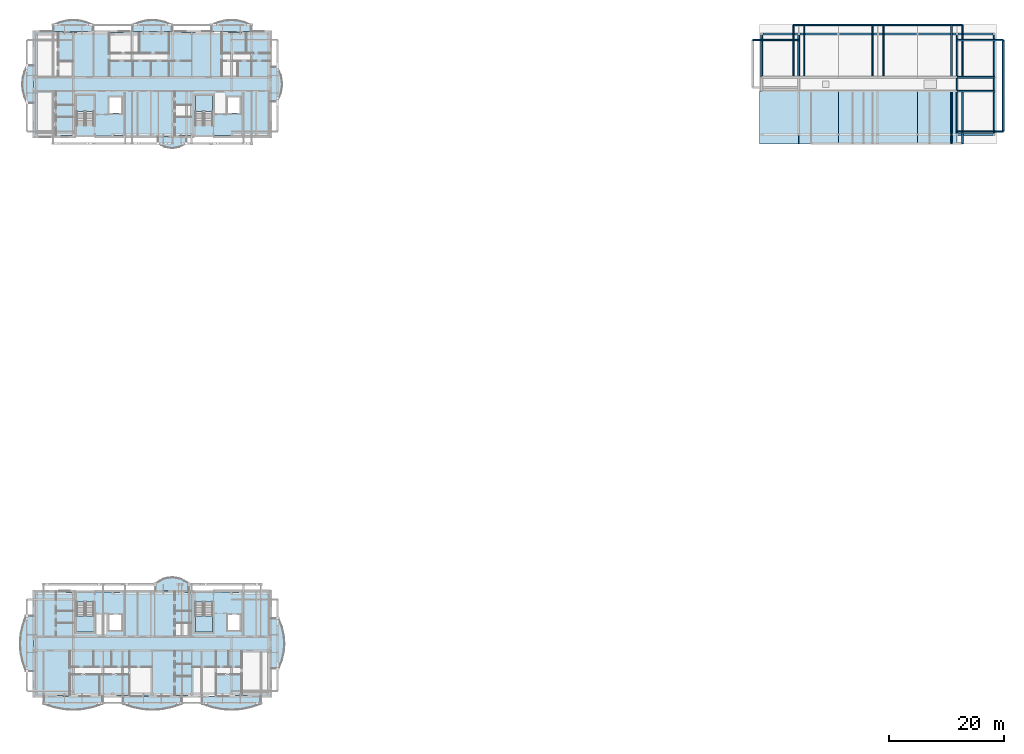
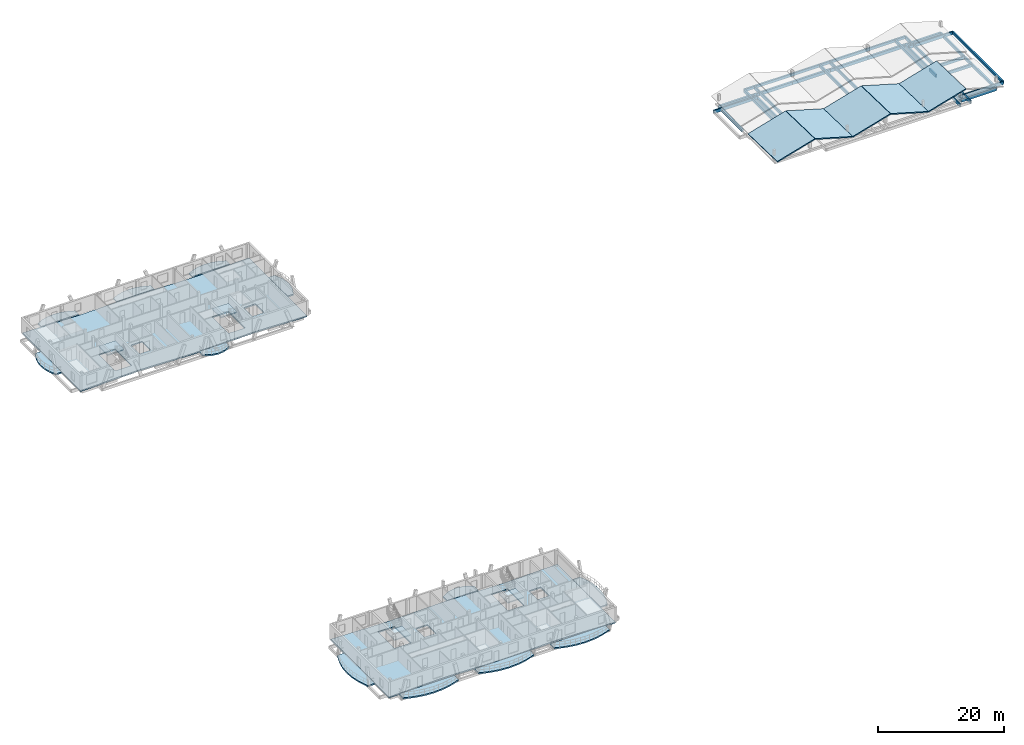
# One storey, part 5 of 21: 30 beams, 23 slabs, 4 elements without a shape of their own.
"""IFC4 building model written with IfcOpenShell, lengths in metres."""

import ifcopenshell
import ifcopenshell.guid

model = None  # the IFC model being written
_history = None  # IfcOwnerHistory: only IFC2X3 demands one
_inside = {}  # id of a spatial element -> (the spatial element, [elements in it])
_under = {}  # id of a project, library or spatial element -> (it, [spatial elements below it])
_declared = {}  # id of a project -> (the project, [libraries it declares])
_typed = {}  # id of a type object -> (the type object, [elements of that type])
_made_of = {}  # id of a material, layer set ... -> (it, [elements and type objects made of it])


def new_model(schema):
    """Start an empty IFC model of exactly this schema.

    Asked for "IFC4X3", IfcOpenShell would pick the latest addendum, in which some entities
    have other attributes; the version numbers below select the first issue.
    IFC2X3 requires an IfcOwnerHistory on every rooted entity: one is made here for all.
    """
    global model, _history
    if schema == "IFC4X3":
        model = ifcopenshell.file(schema_version=(4, 3, 0, 0))
    else:
        model = ifcopenshell.file(schema=schema)
    _inside.clear()
    _under.clear()
    _declared.clear()
    _typed.clear()
    _made_of.clear()
    _history = None
    if model.schema == "IFC2X3":
        org = make("IfcOrganization", Name="unknown")
        user = make(
            "IfcPersonAndOrganization",
            ThePerson=make("IfcPerson", FamilyName="unknown"),
            TheOrganization=org,
        )
        app = make(
            "IfcApplication",
            ApplicationDeveloper=org,
            Version="unknown",
            ApplicationFullName="unknown",
            ApplicationIdentifier="unknown",
        )
        _history = make(
            "IfcOwnerHistory",
            OwningUser=user,
            OwningApplication=app,
            ChangeAction="ADDED",
            CreationDate=0,
        )
    return model


def make(cls, **values):
    """One entity of the class cls with the attributes given. An attribute that is None is left unset."""
    return model.create_entity(
        cls, **{name: value for name, value in values.items() if value is not None}
    )


def rooted(cls, **values):
    """An entity with a GlobalId (a new one), such as an element, a storey or a relation."""
    return make(cls, GlobalId=ifcopenshell.guid.new(), OwnerHistory=_history, **values)


def si_unit(unit_type, name, prefix=None):
    """IfcSIUnit, for example si_unit("LENGTHUNIT", "METRE", prefix="MILLI")."""
    return make("IfcSIUnit", UnitType=unit_type, Prefix=prefix, Name=name)


def assignment(units):
    """IfcUnitAssignment: the units of a project."""
    return None if units is None else make("IfcUnitAssignment", Units=units)


def point(xyz):
    """IfcCartesianPoint."""
    return None if xyz is None else make("IfcCartesianPoint", Coordinates=xyz)


def direction(xyz):
    """IfcDirection."""
    return None if xyz is None else make("IfcDirection", DirectionRatios=xyz)


def frame(location, z_axis=None, x_axis=None):
    """IfcAxis2Placement3D, a coordinate frame: its origin and axes. An axis left out is left unset."""
    return make(
        "IfcAxis2Placement3D",
        Location=point(location),
        Axis=direction(z_axis),
        RefDirection=direction(x_axis),
    )


def frame_2d(location, x_axis=None):
    """IfcAxis2Placement2D, a coordinate frame in the plane: its origin and x axis."""
    return make(
        "IfcAxis2Placement2D", Location=point(location), RefDirection=direction(x_axis)
    )


def origin():
    """The frame at (0, 0, 0) with its axes left unset."""
    return frame((0.0, 0.0, 0.0))


def origin_2d():
    """The frame at (0, 0) in the plane with its x axis left unset."""
    return frame_2d((0.0, 0.0))


def place(relative_to, where):
    """IfcLocalPlacement: puts the frame where relative to a parent placement (None: the world)."""
    return make(
        "IfcLocalPlacement", PlacementRelTo=relative_to, RelativePlacement=where
    )


def context(
    kind, dimensions, precision=None, world=None, true_north=None, identifier=None
):
    """IfcGeometricRepresentationContext, for example the 3D "Model" context."""
    return make(
        "IfcGeometricRepresentationContext",
        ContextIdentifier=identifier,
        ContextType=kind,
        CoordinateSpaceDimension=dimensions,
        Precision=precision,
        WorldCoordinateSystem=world,
        TrueNorth=true_north,
    )


def subcontext(parent, identifier, kind, view, scale=None):
    """IfcGeometricRepresentationSubContext, for example "Body" below "Model"."""
    return make(
        "IfcGeometricRepresentationSubContext",
        ContextIdentifier=identifier,
        ContextType=kind,
        ParentContext=parent,
        TargetScale=scale,
        TargetView=view,
    )


def project(units=None, contexts=None):
    """IfcProject with its units and contexts."""
    return rooted(
        "IfcProject",
        Name="project",
        RepresentationContexts=contexts,
        UnitsInContext=assignment(units),
    )


def spatial(cls, under=None, at=None, **own):
    """A site, building, storey or space (cls), placed at a placement, below another one or the project."""
    s = rooted(cls, ObjectPlacement=at, **own)
    if under is not None:
        _under.setdefault(under.id(), (under, []))[1].append(s)
    return s


def polyline(points):
    """IfcPolyline through the points."""
    return make("IfcPolyline", Points=[point(p) for p in points])


def profile(cls, at=None, kind="AREA", **sizes):
    """A parametric profile (cls). Its sizes go by their IFC names, for example OverallWidth=200.0."""
    return make(cls, ProfileType=kind, Position=at, **sizes)


def rectangle(**sizes):
    """IfcRectangleProfileDef."""
    return profile("IfcRectangleProfileDef", **sizes)


def outline(outer, holes=None, kind="AREA"):
    """IfcArbitraryClosedProfileDef: a profile drawn as a closed curve; with holes, ...WithVoids."""
    if holes is None:
        return make("IfcArbitraryClosedProfileDef", ProfileType=kind, OuterCurve=outer)
    return make(
        "IfcArbitraryProfileDefWithVoids",
        ProfileType=kind,
        OuterCurve=outer,
        InnerCurves=holes,
    )


def extrude(swept, where, along, depth):
    """IfcExtrudedAreaSolid: the profile swept, set in the frame where, extruded along a direction by depth."""
    return make(
        "IfcExtrudedAreaSolid",
        SweptArea=swept,
        Position=where,
        ExtrudedDirection=direction(along),
        Depth=depth,
    )


def shape(context_of_items, identifier, shape_type, items):
    """IfcShapeRepresentation: the items that make up one representation, for example the "Body"."""
    return make(
        "IfcShapeRepresentation",
        ContextOfItems=context_of_items,
        RepresentationIdentifier=identifier,
        RepresentationType=shape_type,
        Items=items,
    )


def material(Name=None, Category=None):
    """IfcMaterial."""
    return make("IfcMaterial", Name=Name, Category=Category)


def layer(
    of_material, thickness, ventilated=None, Name=None, Category=None, Priority=None
):
    """IfcMaterialLayer: one layer of a wall or slab, of a material (None: an air gap)."""
    return make(
        "IfcMaterialLayer",
        Material=of_material,
        LayerThickness=thickness,
        IsVentilated=ventilated,
        Name=Name,
        Category=Category,
        Priority=Priority,
    )


def layer_set(layers, Name=None):
    """IfcMaterialLayerSet."""
    return make("IfcMaterialLayerSet", MaterialLayers=layers, LayerSetName=Name)


def material_profile(
    of_material, cross_section, Name=None, Category=None, Priority=None
):
    """IfcMaterialProfile: a cross section and its material."""
    return make(
        "IfcMaterialProfile",
        Name=Name,
        Material=of_material,
        Profile=cross_section,
        Priority=Priority,
        Category=Category,
    )


def profile_set(profiles, Name=None, composite=None):
    """IfcMaterialProfileSet."""
    return make(
        "IfcMaterialProfileSet",
        Name=Name,
        MaterialProfiles=profiles,
        CompositeProfile=composite,
    )


def made_of(thing, what):
    """Note that an element or type object is made of a material, layer set ...; save() writes the relation."""
    if what is not None:
        _made_of.setdefault(what.id(), (what, []))[1].append(thing)
    return thing


def type_object(cls, material=None, **own):
    """A type object (cls), such as IfcWallType, which elements share."""
    return made_of(rooted(cls, **own), material)


def element(
    cls,
    number,
    at=None,
    inside=None,
    cuts=None,
    type_object=None,
    material=None,
    context=None,
    identifier="Body",
    shape_type=None,
    held_by="IfcProductDefinitionShape",
    body=None,
    shapes=None,
    **own,
):
    """One element of the class cls, such as IfcWall. Its Tag is "e" and its number.

    at: its placement. inside: the storey or other place that contains it. cuts: it is an
    opening in that element (IfcRelVoidsElement). A single representation is given by context,
    identifier, shape_type and body (its items); several are given by shapes. held_by: the class
    of the entity that holds the representations. save() writes the other relations.
    """
    e = rooted(cls, Tag="e%d" % number, ObjectPlacement=at, **own)
    if body is not None:
        shapes = [shape(context, identifier, shape_type, body)]
    if shapes is not None:
        e.Representation = make(held_by, Representations=shapes)
    if inside is not None:
        _inside.setdefault(inside.id(), (inside, []))[1].append(e)
    if cuts is not None:
        rooted(
            "IfcRelVoidsElement", RelatingBuildingElement=cuts, RelatedOpeningElement=e
        )
    if type_object is not None:
        _typed.setdefault(type_object.id(), (type_object, []))[1].append(e)
    return made_of(e, material)


def aggregate(whole, parts):
    """IfcRelAggregates: a whole, such as a stair, and the parts it consists of."""
    return rooted("IfcRelAggregates", RelatingObject=whole, RelatedObjects=parts)


def save(model, path):
    """Write the relations noted so far, then the file.

    IfcRelAggregates (storeys below a building ...), IfcRelContainedInSpatialStructure (elements
    in a storey), IfcRelDefinesByType, IfcRelAssociatesMaterial and IfcRelDeclares: one each for
    every whole, place, type object, material and project.
    """
    for whole, parts in _under.values():
        aggregate(whole, parts)
    for where, things in _inside.values():
        rooted(
            "IfcRelContainedInSpatialStructure",
            RelatedElements=things,
            RelatingStructure=where,
        )
    for kind, things in _typed.values():
        rooted("IfcRelDefinesByType", RelatedObjects=things, RelatingType=kind)
    for what, things in _made_of.values():
        rooted("IfcRelAssociatesMaterial", RelatedObjects=things, RelatingMaterial=what)
    for by, libraries in _declared.values():
        rooted("IfcRelDeclares", RelatingContext=by, RelatedDefinitions=libraries)
    model.write(path)


model = new_model("IFC4")

# Units and contexts
model_context = context("Model", 3, precision=1e-05, world=origin(), true_north=direction((0.0, 1.0)))
body_context = subcontext(model_context, "Body", "Model", "MODEL_VIEW")
ifc_project = project(units=[si_unit("LENGTHUNIT", "METRE"), si_unit("AREAUNIT", "SQUARE_METRE"), si_unit("VOLUMEUNIT", "CUBIC_METRE"), si_unit("PLANEANGLEUNIT", "RADIAN"), si_unit("MASSUNIT", "GRAM", prefix="KILO")], contexts=[model_context])

# Site, building, storey
site_placement = place(None, origin())
site = spatial("IfcSite", under=ifc_project, at=site_placement, CompositionType="ELEMENT")
building_placement = place(site_placement, origin())
building = spatial("IfcBuilding", under=site, at=building_placement, Name="Zavelmont Quarter", CompositionType="ELEMENT")
storey_placement = place(building_placement, frame((0.0, 0.0, 36.800048828125)))
storey = spatial("IfcBuildingStorey", under=building, at=storey_placement, Name="L11", CompositionType="ELEMENT", Elevation=36.800048828125)

# Beams
ifc_material_1 = material(Name="Concrete C35/45", Category="concrete")
ifc_material_profile_1 = material_profile(ifc_material_1, rectangle(XDim=0.35009765625, YDim=0.60009765625, at=origin_2d()), Name="RC350X600")
ifc_profile_set_1 = profile_set([ifc_material_profile_1], Name="Concrete C35/45")
beam_type_1 = type_object("IfcBeamType", Name="BM01", PredefinedType="SPANDREL", material=ifc_profile_set_1)
for number, where, z_axis, x_axis, name in (
    (1, (161.10009765625, 98.0400390625, -0.590087890625), (1.0, 0.0, 0.0), (0.0, 1.0, 0.0), "L11 beam BM01 24/P to 25/P"),
    (2, (127.0400390625, 115.56005859375, -0.590087890625), (1.0, 0.0, 0.0), (0.0, 1.0, 0.0), "L11 beam BM01 19/S to 20/S"),
):
    element("IfcBeam", number, at=place(storey_placement, frame(where, z_axis=z_axis, x_axis=x_axis)), inside=storey, type_object=beam_type_1, Name=name, PredefinedType="SPANDREL", context=body_context, shape_type="SweptSolid", body=[
        extrude(rectangle(XDim=0.35009765625, YDim=0.60009765625, at=origin_2d()), origin(), (0.0, 0.0, 1.0), 6.4599609375),
    ])
beam_1_placement = place(storey_placement, frame((133.5, 115.56005859375, -0.590087890625), z_axis=(1.0, 0.0, 0.0), x_axis=(0.0, 1.0, 0.0)))
element("IfcBeam", 3, at=beam_1_placement, inside=storey, type_object=beam_type_1, Name="L11 beam BM01 20/S to 21/S", PredefinedType="SPANDREL", context=body_context, shape_type="SweptSolid", body=[
    extrude(rectangle(XDim=0.35009765625, YDim=0.60009765625, at=origin_2d()), origin(), (0.0, 0.0, 1.0), 6.89990234375),
])
beam_2_placement = place(storey_placement, frame((140.39990234375, 115.56005859375, -0.590087890625), z_axis=(1.0, 0.0, 0.0), x_axis=(0.0, 1.0, 0.0)))
element("IfcBeam", 4, at=beam_2_placement, inside=storey, type_object=beam_type_1, Name="L11 beam BM01 21/S to 22/S", PredefinedType="SPANDREL", context=body_context, shape_type="SweptSolid", body=[
    extrude(rectangle(XDim=0.35009765625, YDim=0.60009765625, at=origin_2d()), origin(), (0.0, 0.0, 1.0), 6.900146484375),
])
beam_3_placement = place(storey_placement, frame((147.300048828125, 115.56005859375, -0.590087890625), z_axis=(1.0, 0.0, 0.0), x_axis=(0.0, 1.0, 0.0)))
element("IfcBeam", 5, at=beam_3_placement, inside=storey, type_object=beam_type_1, Name="L11 beam BM01 22/S to 23/S", PredefinedType="SPANDREL", context=body_context, shape_type="SweptSolid", body=[
    extrude(rectangle(XDim=0.35009765625, YDim=0.60009765625, at=origin_2d()), origin(), (0.0, 0.0, 1.0), 6.89990234375),
])
beam_4_placement = place(storey_placement, frame((154.199951171875, 115.56005859375, -0.590087890625), z_axis=(1.0, 0.0, 0.0), x_axis=(0.0, 1.0, 0.0)))
element("IfcBeam", 6, at=beam_4_placement, inside=storey, type_object=beam_type_1, Name="L11 beam BM01 23/S to 24/S", PredefinedType="SPANDREL", context=body_context, shape_type="SweptSolid", body=[
    extrude(rectangle(XDim=0.35009765625, YDim=0.60009765625, at=origin_2d()), origin(), (0.0, 0.0, 1.0), 6.900146484375),
])
beam_5_placement = place(storey_placement, frame((161.10009765625, 115.56005859375, -0.590087890625), z_axis=(1.0, 0.0, 0.0), x_axis=(0.0, 1.0, 0.0)))
element("IfcBeam", 7, at=beam_5_placement, inside=storey, type_object=beam_type_1, Name="L11 beam BM01 24/S to 25/S", PredefinedType="SPANDREL", context=body_context, shape_type="SweptSolid", body=[
    extrude(rectangle(XDim=0.35009765625, YDim=0.60009765625, at=origin_2d()), origin(), (0.0, 0.0, 1.0), 6.4599609375),
])
ifc_material_profile_2 = material_profile(ifc_material_1, rectangle(XDim=0.300048828125, YDim=0.550048828125, at=origin_2d()), Name="RC300X550")
ifc_profile_set_2 = profile_set([ifc_material_profile_2], Name="Concrete C35/45")
beam_type_2 = type_object("IfcBeamType", Name="BM02", PredefinedType="SPANDREL", material=ifc_profile_set_2)
for number, where, z_axis, x_axis, name in (
    (8, (161.10009765625, 105.60009765625, -0.56494140625), (1.0, 0.0, 0.0), (0.0, 1.0, 0.0), "L11 beam BM02 24/Q to 25/Q"),
    (9, (161.10009765625, 108.0, -0.56494140625), (1.0, 0.0, 0.0), (0.0, 1.0, 0.0), "L11 beam BM02 24/R to 25/R"),
):
    element("IfcBeam", number, at=place(storey_placement, frame(where, z_axis=z_axis, x_axis=x_axis)), inside=storey, type_object=beam_type_2, Name=name, PredefinedType="SPANDREL", context=body_context, shape_type="SweptSolid", body=[
        extrude(rectangle(XDim=0.300048828125, YDim=0.550048828125, at=origin_2d()), origin(), (0.0, 0.0, 1.0), 6.4599609375),
    ])
for number, where, z_axis, x_axis, name in (
    (10, (127.0400390625, 108.139892578125, -0.56494140625), (0.0, 1.0, 0.0), (-1.0, 0.0, 0.0), "L11 beam BM02 19/R to 19/S"),
    (11, (133.5, 108.139892578125, -0.56494140625), (0.0, 1.0, 0.0), (-1.0, 0.0, 0.0), "L11 beam BM02 20/R to 20/S"),
):
    element("IfcBeam", number, at=place(storey_placement, frame(where, z_axis=z_axis, x_axis=x_axis)), inside=storey, type_object=beam_type_2, Name=name, PredefinedType="SPANDREL", context=body_context, shape_type="SweptSolid", body=[
        extrude(rectangle(XDim=0.300048828125, YDim=0.550048828125, at=origin_2d()), origin(), (0.0, 0.0, 1.0), 7.420166015625),
    ])
beam_6_placement = place(storey_placement, frame((161.10009765625, 98.0400390625, -0.56494140625), z_axis=(0.0, 1.0, 0.0), x_axis=(-1.0, 0.0, 0.0)))
element("IfcBeam", 12, at=beam_6_placement, inside=storey, type_object=beam_type_2, Name="L11 beam BM02 24/P to 24/Q", PredefinedType="SPANDREL", context=body_context, shape_type="SweptSolid", body=[
    extrude(rectangle(XDim=0.300048828125, YDim=0.550048828125, at=origin_2d()), origin(), (0.0, 0.0, 1.0), 7.419921875),
])
beam_7_placement = place(storey_placement, frame((161.10009765625, 105.739990234375, -0.56494140625), z_axis=(0.0, 1.0, 0.0), x_axis=(-1.0, 0.0, 0.0)))
element("IfcBeam", 13, at=beam_7_placement, inside=storey, type_object=beam_type_2, Name="L11 beam BM02 24/Q to 24/R", PredefinedType="SPANDREL", context=body_context, shape_type="SweptSolid", body=[
    extrude(rectangle(XDim=0.300048828125, YDim=0.550048828125, at=origin_2d()), origin(), (0.0, 0.0, 1.0), 2.1201171875),
])
beam_8_placement = place(storey_placement, frame((161.10009765625, 108.139892578125, -0.56494140625), z_axis=(0.0, 1.0, 0.0), x_axis=(-1.0, 0.0, 0.0)))
element("IfcBeam", 14, at=beam_8_placement, inside=storey, type_object=beam_type_2, Name="L11 beam BM02 24/R to 24/S", PredefinedType="SPANDREL", context=body_context, shape_type="SweptSolid", body=[
    extrude(rectangle(XDim=0.300048828125, YDim=0.550048828125, at=origin_2d()), origin(), (0.0, 0.0, 1.0), 7.420166015625),
])
beam_9_placement = place(storey_placement, frame((167.56005859375, 98.0400390625, -0.56494140625), z_axis=(0.0, 1.0, 0.0), x_axis=(-1.0, 0.0, 0.0)))
element("IfcBeam", 15, at=beam_9_placement, inside=storey, type_object=beam_type_2, Name="L11 beam BM02 25/P to 25/Q", PredefinedType="SPANDREL", context=body_context, shape_type="SweptSolid", body=[
    extrude(rectangle(XDim=0.300048828125, YDim=0.550048828125, at=origin_2d()), origin(), (0.0, 0.0, 1.0), 7.419921875),
])
beam_10_placement = place(storey_placement, frame((167.56005859375, 105.739990234375, -0.56494140625), z_axis=(0.0, 1.0, 0.0), x_axis=(-1.0, 0.0, 0.0)))
element("IfcBeam", 16, at=beam_10_placement, inside=storey, type_object=beam_type_2, Name="L11 beam BM02 25/Q to 25/R", PredefinedType="SPANDREL", context=body_context, shape_type="SweptSolid", body=[
    extrude(rectangle(XDim=0.300048828125, YDim=0.550048828125, at=origin_2d()), origin(), (0.0, 0.0, 1.0), 2.1201171875),
])
beam_11_placement = place(storey_placement, frame((167.56005859375, 108.139892578125, -0.56494140625), z_axis=(0.0, 1.0, 0.0), x_axis=(-1.0, 0.0, 0.0)))
element("IfcBeam", 17, at=beam_11_placement, inside=storey, type_object=beam_type_2, Name="L11 beam BM02 25/R to 25/S", PredefinedType="SPANDREL", context=body_context, shape_type="SweptSolid", body=[
    extrude(rectangle(XDim=0.300048828125, YDim=0.550048828125, at=origin_2d()), origin(), (0.0, 0.0, 1.0), 7.420166015625),
])
ifc_material_profile_3 = material_profile(ifc_material_1, rectangle(XDim=0.300048828125, YDim=0.5, at=origin_2d()), Name="RC300X500")
ifc_profile_set_3 = profile_set([ifc_material_profile_3], Name="Concrete C35/45")
beam_type_3 = type_object("IfcBeamType", Name="BM03", PredefinedType="BEAM", material=ifc_profile_set_3)
beam_12_placement = place(storey_placement, frame((132.550048828125, 117.14990234375, -0.25), z_axis=(1.0, 0.0, 0.0), x_axis=(0.0, 1.0, 0.0)))
element("IfcBeam", 18, at=beam_12_placement, inside=storey, type_object=beam_type_3, Name="L11 beam BM03 20/S to 24/S", PredefinedType="BEAM", context=body_context, shape_type="SweptSolid", body=[
    extrude(rectangle(XDim=0.300048828125, YDim=0.5, at=origin_2d()), origin(), (0.0, 0.0, 1.0), 29.5),
])
beam_13_placement = place(storey_placement, frame((169.14990234375, 98.550048828125, -0.25), z_axis=(0.0, 1.0, 0.0), x_axis=(-1.0, 0.0, 0.0)))
element("IfcBeam", 19, at=beam_13_placement, inside=storey, type_object=beam_type_3, Name="L11 beam BM03 25/P to 25/S", PredefinedType="BEAM", context=body_context, shape_type="SweptSolid", body=[
    extrude(rectangle(XDim=0.300048828125, YDim=0.5, at=origin_2d()), origin(), (0.0, 0.0, 1.0), 15.949951171875),
])
ifc_material_2 = material(Name="Concrete C40/50", Category="concrete")
ifc_material_profile_4 = material_profile(ifc_material_2, rectangle(XDim=0.25, YDim=0.60009765625, at=origin_2d()), Name="RC250X600")
ifc_profile_set_4 = profile_set([ifc_material_profile_4], Name="Concrete C40/50")
beam_type_4 = type_object("IfcBeamType", Name="BM18", PredefinedType="BEAM", material=ifc_profile_set_4)
for number, where, z_axis, x_axis, name in (
    (20, (132.550048828125, 108.0, -0.300048828125), (0.0, 1.0, 0.0), (-1.0, 0.0, 0.0), "L11 beam BM18 20/R to 20/S"),
    (21, (134.449951171875, 108.0, -0.300048828125), (0.0, 1.0, 0.0), (-1.0, 0.0, 0.0), "L11 beam BM18 20/R to 20/S"),
    (22, (146.35009765625, 108.0, -0.300048828125), (0.0, 1.0, 0.0), (-1.0, 0.0, 0.0), "L11 beam BM18 22/R to 22/S"),
    (23, (148.25, 108.0, -0.300048828125), (0.0, 1.0, 0.0), (-1.0, 0.0, 0.0), "L11 beam BM18 22/R to 22/S"),
    (24, (160.14990234375, 108.0, -0.300048828125), (0.0, 1.0, 0.0), (-1.0, 0.0, 0.0), "L11 beam BM18 24/R to 24/S"),
    (25, (162.050048828125, 108.0, -0.300048828125), (0.0, 1.0, 0.0), (-1.0, 0.0, 0.0), "L11 beam BM18 24/R to 24/S"),
):
    element("IfcBeam", number, at=place(storey_placement, frame(where, z_axis=z_axis, x_axis=x_axis)), inside=storey, type_object=beam_type_4, Name=name, PredefinedType="BEAM", context=body_context, shape_type="SweptSolid", body=[
        extrude(rectangle(XDim=0.25, YDim=0.60009765625, at=origin_2d()), origin(), (0.0, 0.0, 1.0), 9.14990234375),
    ])
for number, where, z_axis, x_axis, name in (
    (26, (160.14990234375, 105.60009765625, -0.300048828125), (0.0, -1.0, 0.0), (1.0, 0.0, 0.0), "L11 beam BM18 24/Q to 24/P"),
    (27, (162.050048828125, 105.60009765625, -0.300048828125), (0.0, -1.0, 0.0), (1.0, 0.0, 0.0), "L11 beam BM18 24/Q to 24/P"),
):
    element("IfcBeam", number, at=place(storey_placement, frame(where, z_axis=z_axis, x_axis=x_axis)), inside=storey, type_object=beam_type_4, Name=name, PredefinedType="BEAM", context=body_context, shape_type="SweptSolid", body=[
        extrude(rectangle(XDim=0.25, YDim=0.60009765625, at=origin_2d()), origin(), (0.0, 0.0, 1.0), 9.150146484375),
    ])
for number, where, z_axis, x_axis, name in (
    (28, (161.10009765625, 98.550048828125, -0.300048828125), (1.0, 0.0, 0.0), (0.0, 1.0, 0.0), "L11 beam BM18 24/P to 25/P"),
    (29, (161.10009765625, 114.5, -0.300048828125), (1.0, 0.0, 0.0), (0.0, 1.0, 0.0), "L11 beam BM18 24/S to 25/S"),
):
    element("IfcBeam", number, at=place(storey_placement, frame(where, z_axis=z_axis, x_axis=x_axis)), inside=storey, type_object=beam_type_4, Name=name, PredefinedType="BEAM", context=body_context, shape_type="SweptSolid", body=[
        extrude(rectangle(XDim=0.25, YDim=0.60009765625, at=origin_2d()), origin(), (0.0, 0.0, 1.0), 8.0498046875),
    ])
beam_14_placement = place(storey_placement, frame((133.5, 114.5, -0.300048828125), z_axis=(-1.0, 0.0, 0.0), x_axis=(0.0, -1.0, 0.0)))
element("IfcBeam", 30, at=beam_14_placement, inside=storey, type_object=beam_type_4, Name="L11 beam BM18 20/S to 19/S", PredefinedType="BEAM", context=body_context, shape_type="SweptSolid", body=[
    extrude(rectangle(XDim=0.25, YDim=0.60009765625, at=origin_2d()), origin(), (0.0, 0.0, 1.0), 8.050048828125),
])

# Slabs
ifc_material_3 = material(Name="White architectural precast concrete C40/50", Category="concrete")
ifc_layer_1 = layer(ifc_material_3, 0.199951171875)
ifc_layer_set_1 = layer_set([ifc_layer_1], Name="White architectural precast concrete C40/50")
slab_type_1 = type_object("IfcSlabType", Name="CRCS1", PredefinedType="ROOF", material=ifc_layer_set_1)
slab_1_placement = place(storey_placement, frame((126.60009765625, 96.35009765625, 0.699951171875), z_axis=(-0.278264021149, 0.02588048519, 0.960155890999), x_axis=(0.960477608597, 0.0, 0.278357258542)))
element("IfcSlab", 31, at=slab_1_placement, inside=storey, type_object=slab_type_1, Name="Block C pleated crown roof CRCS1", PredefinedType="ROOF", context=body_context, shape_type="SweptSolid", body=[
    extrude(outline(polyline([(0.0, 0.0), (7.1525592948565135, 6.938893903907228e-18), (7.0829699802210255, 9.278010067540764), (-0.06958931463548745, 9.278010067540764), (0.0, 0.0)])), origin(), (0.0, 0.0, -1.0), 0.199951171875),
])
ifc_layer_2 = layer(ifc_material_3, 0.199951171875)
ifc_layer_set_2 = layer_set([ifc_layer_2], Name="White architectural precast concrete C40/50")
slab_type_2 = type_object("IfcSlabType", Name="CRCS2", PredefinedType="ROOF", material=ifc_layer_set_2)
slab_2_placement = place(storey_placement, frame((133.530029296875, 96.35009765625, 2.69091796875), z_axis=(0.278264021149, 0.02588048519, 0.960155890999), x_axis=(0.960477608597, 0.0, -0.278357258542)))
element("IfcSlab", 32, at=slab_2_placement, inside=storey, type_object=slab_type_2, Name="Block C pleated crown roof CRCS2", PredefinedType="ROOF", context=body_context, shape_type="SweptSolid", body=[
    extrude(outline(polyline([(0.0, 0.0), (7.1525592948565135, -6.938893903907228e-18), (7.222148609492001, 9.278010067540764), (0.06958931463548745, 9.278010067540764), (0.0, 0.0)])), origin(), (0.0, 0.0, -1.0), 0.199951171875),
])
ifc_layer_3 = layer(ifc_material_3, 0.199951171875)
ifc_layer_set_3 = layer_set([ifc_layer_3], Name="White architectural precast concrete C40/50")
slab_type_3 = type_object("IfcSlabType", Name="CRCS3", PredefinedType="ROOF", material=ifc_layer_set_3)
slab_3_placement = place(storey_placement, frame((140.39990234375, 96.35009765625, 0.699951171875), z_axis=(-0.278254898233, 0.025880556403, 0.960158532957), x_axis=(0.960480253212, 0.0, 0.278348133082)))
element("IfcSlab", 33, at=slab_3_placement, inside=storey, type_object=slab_type_3, Name="Block C pleated crown roof CRCS3", PredefinedType="ROOF", context=body_context, shape_type="SweptSolid", body=[
    extrude(outline(polyline([(0.0, 0.0), (7.1527937867830085, -6.938893903907228e-18), (7.083206753512389, 9.278010084651765), (-0.06958703327061955, 9.278010084651765), (0.0, 0.0)])), origin(), (0.0, 0.0, -1.0), 0.199951171875),
])
ifc_layer_4 = layer(ifc_material_3, 0.199951171875)
ifc_layer_set_4 = layer_set([ifc_layer_4], Name="White architectural precast concrete C40/50")
slab_type_4 = type_object("IfcSlabType", Name="CRCS4", PredefinedType="ROOF", material=ifc_layer_set_4)
slab_4_placement = place(storey_placement, frame((147.330078125, 96.35009765625, 2.69091796875), z_axis=(0.278264021149, 0.02588048519, 0.960155890999), x_axis=(0.960477608597, 0.0, -0.278357258542)))
element("IfcSlab", 34, at=slab_4_placement, inside=storey, type_object=slab_type_4, Name="Block C pleated crown roof CRCS4", PredefinedType="ROOF", context=body_context, shape_type="SweptSolid", body=[
    extrude(outline(polyline([(0.0, 0.0), (7.1525592948565135, -6.938893903907228e-18), (7.222148609492001, 9.278010067540764), (0.06958931463548745, 9.278010067540764), (0.0, 0.0)])), origin(), (0.0, 0.0, -1.0), 0.199951171875),
])
ifc_layer_5 = layer(ifc_material_3, 0.199951171875)
ifc_layer_set_5 = layer_set([ifc_layer_5], Name="White architectural precast concrete C40/50")
slab_type_5 = type_object("IfcSlabType", Name="CRCS5", PredefinedType="ROOF", material=ifc_layer_set_5)
slab_5_placement = place(storey_placement, frame((154.199951171875, 96.35009765625, 0.699951171875), z_axis=(-0.278254898233, 0.025880556403, 0.960158532957), x_axis=(0.960480253212, 0.0, 0.278348133082)))
element("IfcSlab", 35, at=slab_5_placement, inside=storey, type_object=slab_type_5, Name="Block C pleated crown roof CRCS5", PredefinedType="ROOF", context=body_context, shape_type="SweptSolid", body=[
    extrude(outline(polyline([(0.0, 0.0), (7.1527937867830085, -6.938893903907228e-18), (7.083206753512389, 9.278010084651765), (-0.06958703327061955, 9.278010084651765), (0.0, 0.0)])), origin(), (0.0, 0.0, -1.0), 0.199951171875),
])
ifc_layer_6 = layer(ifc_material_3, 0.235107421875)
ifc_layer_set_6 = layer_set([ifc_layer_6], Name="White architectural precast concrete C40/50")
slab_type_6 = type_object("IfcSlabType", Name="SL-BL180", PredefinedType="FLOOR", material=ifc_layer_set_6)
slab_6_placement = place(storey_placement, frame((0.0, 0.0, -0.235107421875)))
element("IfcSlab", 36, at=slab_6_placement, inside=storey, type_object=slab_type_6, Name="L11 Block A street vase 3 balcony SL-BL180", PredefinedType="FLOOR", context=body_context, shape_type="SweptSolid", body=[
    extrude(outline(polyline([(29.416015625, -0.02001953125), (29.416015625, -1.324462890625), (31.110595703125, -1.902587890625), (32.805419921875, -2.24951171875), (34.5, -2.364990234375), (36.194580078125, -2.24951171875), (37.889404296875, -1.902587890625), (39.583984375, -1.324462890625), (39.583984375, -0.02001953125), (29.416015625, -0.02001953125)])), origin(), (0.0, 0.0, 1.0), 0.235107421875),
])
slab_7_placement = place(storey_placement, frame((0.0, 0.0, -0.235107421875)))
element("IfcSlab", 37, at=slab_7_placement, inside=storey, type_object=slab_type_6, Name="L11 Block A courtyard return vase balcony SL-BL180", PredefinedType="FLOOR", context=body_context, shape_type="SweptSolid", body=[
    extrude(outline(polyline([(41.419921875, 4.82861328125), (42.724365234375, 4.82861328125), (43.302490234375, 6.28564453125), (43.6494140625, 7.742919921875), (43.764892578125, 9.199951171875), (43.6494140625, 10.6572265625), (43.302490234375, 12.1142578125), (42.724365234375, 13.571533203125), (41.419921875, 13.571533203125), (41.419921875, 4.82861328125)])), origin(), (0.0, 0.0, 1.0), 0.235107421875),
])
slab_8_placement = place(storey_placement, frame((0.0, 0.0, -0.235107421875)))
element("IfcSlab", 38, at=slab_8_placement, inside=storey, type_object=slab_type_6, Name="L11 Block B street vase 3 balcony SL-BL180", PredefinedType="FLOOR", context=body_context, shape_type="SweptSolid", body=[
    extrude(outline(polyline([(37.935546875, 116.02001953125), (37.935546875, 117.107666015625), (36.790283203125, 117.59130859375), (35.645263671875, 117.88134765625), (34.5, 117.97802734375), (33.354736328125, 117.88134765625), (32.209716796875, 117.59130859375), (31.064453125, 117.107666015625), (31.064453125, 116.02001953125), (37.935546875, 116.02001953125)])), origin(), (0.0, 0.0, 1.0), 0.235107421875),
])
slab_9_placement = place(storey_placement, frame((0.0, 0.0, -0.235107421875)))
element("IfcSlab", 39, at=slab_9_placement, inside=storey, type_object=slab_type_6, Name="L11 Block B courtyard return vase balcony SL-BL180", PredefinedType="FLOOR", context=body_context, shape_type="SweptSolid", body=[
    extrude(outline(polyline([(41.419921875, 103.7919921875), (42.5078125, 103.7919921875), (43.160400390625, 105.2958984375), (43.3779296875, 106.800048828125), (43.160400390625, 108.303955078125), (42.5078125, 109.80810546875), (41.419921875, 109.80810546875), (41.419921875, 103.7919921875)])), origin(), (0.0, 0.0, 1.0), 0.235107421875),
])
ifc_layer_7 = layer(ifc_material_3, 0.2451171875)
ifc_layer_set_7 = layer_set([ifc_layer_7], Name="White architectural precast concrete C40/50")
slab_type_7 = type_object("IfcSlabType", Name="SL-BL200", PredefinedType="FLOOR", material=ifc_layer_set_7)
slab_10_placement = place(storey_placement, frame((0.0, 0.0, -0.2451171875)))
element("IfcSlab", 40, at=slab_10_placement, inside=storey, type_object=slab_type_7, Name="L11 Block A street vase 2 balcony SL-BL200", PredefinedType="FLOOR", context=body_context, shape_type="SweptSolid", body=[
    extrude(outline(polyline([(15.6162109375, -0.02001953125), (15.6162109375, -1.324462890625), (17.310791015625, -1.902587890625), (19.00537109375, -2.24951171875), (20.699951171875, -2.364990234375), (22.39453125, -2.24951171875), (24.08935546875, -1.902587890625), (25.783935546875, -1.324462890625), (25.783935546875, -0.02001953125), (15.6162109375, -0.02001953125)])), origin(), (0.0, 0.0, 1.0), 0.2451171875),
])
slab_11_placement = place(storey_placement, frame((0.0, 0.0, -0.2451171875)))
element("IfcSlab", 41, at=slab_11_placement, inside=storey, type_object=slab_type_7, Name="L11 Block A boulevard vase balcony SL-BL200", PredefinedType="FLOOR", context=body_context, shape_type="SweptSolid", body=[
    extrude(outline(polyline([(-0.02001953125, 14.026123046875), (-1.324462890625, 14.026123046875), (-1.902587890625, 12.41748046875), (-2.24951171875, 10.80859375), (-2.364990234375, 9.199951171875), (-2.24951171875, 7.59130859375), (-1.902587890625, 5.982666015625), (-1.324462890625, 4.373779296875), (-0.02001953125, 4.373779296875), (-0.02001953125, 14.026123046875)])), origin(), (0.0, 0.0, 1.0), 0.2451171875),
])
slab_12_placement = place(storey_placement, frame((0.0, 0.0, -0.2451171875)))
element("IfcSlab", 42, at=slab_12_placement, inside=storey, type_object=slab_type_7, Name="L11 Block B street vase 2 balcony SL-BL200", PredefinedType="FLOOR", context=body_context, shape_type="SweptSolid", body=[
    extrude(outline(polyline([(24.135498046875, 116.02001953125), (24.135498046875, 117.107666015625), (22.990234375, 117.59130859375), (21.84521484375, 117.88134765625), (20.699951171875, 117.97802734375), (19.5546875, 117.88134765625), (18.40966796875, 117.59130859375), (17.264404296875, 117.107666015625), (17.264404296875, 116.02001953125), (24.135498046875, 116.02001953125)])), origin(), (0.0, 0.0, 1.0), 0.2451171875),
])
slab_13_placement = place(storey_placement, frame((0.0, 0.0, -0.2451171875)))
element("IfcSlab", 43, at=slab_13_placement, inside=storey, type_object=slab_type_7, Name="L11 Block B boulevard vase balcony SL-BL200", PredefinedType="FLOOR", context=body_context, shape_type="SweptSolid", body=[
    extrude(outline(polyline([(-0.02001953125, 110.080322265625), (-1.107666015625, 110.080322265625), (-1.59130859375, 108.98681640625), (-1.88134765625, 107.893310546875), (-1.97802734375, 106.800048828125), (-1.88134765625, 105.70654296875), (-1.59130859375, 104.613037109375), (-1.107666015625, 103.519775390625), (-0.02001953125, 103.519775390625), (-0.02001953125, 110.080322265625)])), origin(), (0.0, 0.0, 1.0), 0.2451171875),
])
ifc_layer_8 = layer(ifc_material_3, 0.2548828125)
ifc_layer_set_8 = layer_set([ifc_layer_8], Name="White architectural precast concrete C40/50")
slab_type_8 = type_object("IfcSlabType", Name="SL-BL220", PredefinedType="FLOOR", material=ifc_layer_set_8)
slab_14_placement = place(storey_placement, frame((0.0, 0.0, -0.255126953125)))
element("IfcSlab", 44, at=slab_14_placement, inside=storey, type_object=slab_type_8, Name="L11 Block A street vase 1 balcony SL-BL220", PredefinedType="FLOOR", context=body_context, shape_type="SweptSolid", body=[
    extrude(outline(polyline([(1.816162109375, -0.02001953125), (1.816162109375, -1.324462890625), (3.5107421875, -1.902587890625), (5.205322265625, -2.24951171875), (6.89990234375, -2.364990234375), (8.594482421875, -2.24951171875), (10.289306640625, -1.902587890625), (11.98388671875, -1.324462890625), (11.98388671875, -0.02001953125), (1.816162109375, -0.02001953125)])), origin(), (0.0, 0.0, 1.0), 0.255126953125),
])
slab_15_placement = place(storey_placement, frame((0.0, 0.0, -0.255126953125)))
element("IfcSlab", 45, at=slab_15_placement, inside=storey, type_object=slab_type_8, Name="L11 Block A courtyard central vase balcony SL-BL220", PredefinedType="FLOOR", context=body_context, shape_type="SweptSolid", body=[
    extrude(outline(polyline([(27.0, 18.419921875), (27.0, 19.724365234375), (25.574951171875, 20.5048828125), (24.14990234375, 20.764892578125), (22.72509765625, 20.5048828125), (21.300048828125, 19.724365234375), (21.300048828125, 18.419921875), (27.0, 18.419921875)])), origin(), (0.0, 0.0, 1.0), 0.255126953125),
])
slab_16_placement = place(storey_placement, frame((0.0, 0.0, -0.255126953125)))
element("IfcSlab", 46, at=slab_16_placement, inside=storey, type_object=slab_type_8, Name="L11 Block B street vase 1 balcony SL-BL220", PredefinedType="FLOOR", context=body_context, shape_type="SweptSolid", body=[
    extrude(outline(polyline([(10.33544921875, 116.02001953125), (10.33544921875, 117.107666015625), (9.190185546875, 117.59130859375), (8.045166015625, 117.88134765625), (6.89990234375, 117.97802734375), (5.7548828125, 117.88134765625), (4.609619140625, 117.59130859375), (3.464599609375, 117.107666015625), (3.464599609375, 116.02001953125), (10.33544921875, 116.02001953125)])), origin(), (0.0, 0.0, 1.0), 0.255126953125),
])
slab_17_placement = place(storey_placement, frame((0.0, 0.0, -0.255126953125)))
element("IfcSlab", 47, at=slab_17_placement, inside=storey, type_object=slab_type_8, Name="L11 Block B courtyard central vase balcony SL-BL220", PredefinedType="FLOOR", context=body_context, shape_type="SweptSolid", body=[
    extrude(outline(polyline([(21.6708984375, 97.580078125), (21.6708984375, 96.4921875), (22.910400390625, 95.839599609375), (24.14990234375, 95.6220703125), (25.389404296875, 95.839599609375), (26.62890625, 96.4921875), (26.62890625, 97.580078125), (21.6708984375, 97.580078125)])), origin(), (0.0, 0.0, 1.0), 0.255126953125),
])
ifc_layer_9 = layer(ifc_material_1, 0.239990234375)
ifc_layer_set_9 = layer_set([ifc_layer_9], Name="Concrete C35/45")
slab_type_9 = type_object("IfcSlabType", Name="SL-FL240", PredefinedType="FLOOR", material=ifc_layer_set_9)
slab_18_placement = place(storey_placement, frame((0.0, 0.0, -0.239990234375)))
element("IfcSlab", 48, at=slab_18_placement, inside=storey, type_object=slab_type_9, Name="L11 Block A floor slab SL-FL240", PredefinedType="FLOOR", context=body_context, shape_type="SweptSolid", body=[
    extrude(outline(polyline([(0.0, 0.0), (3.449951171875, 0.070068359375), (6.89990234375, 0.2099609375), (10.35009765625, 0.280029296875), (13.800048828125, 0.2099609375), (17.25, 0.070068359375), (20.699951171875, 0.0), (24.14990234375, 0.070068359375), (27.60009765625, 0.2099609375), (31.050048828125, 0.280029296875), (34.5, 0.2099609375), (37.949951171875, 0.070068359375), (41.39990234375, 0.0), (41.39990234375, 3.679931640625), (41.39990234375, 7.360107421875), (41.39990234375, 11.0400390625), (41.39990234375, 14.719970703125), (41.39990234375, 18.39990234375), (37.949951171875, 18.330078125), (34.5, 18.18994140625), (31.050048828125, 18.1201171875), (27.60009765625, 18.18994140625), (24.14990234375, 18.330078125), (20.699951171875, 18.39990234375), (17.25, 18.330078125), (13.800048828125, 18.18994140625), (10.35009765625, 18.1201171875), (6.89990234375, 18.18994140625), (3.449951171875, 18.330078125), (0.0, 18.39990234375), (0.0, 14.719970703125), (0.0, 11.0400390625), (0.0, 7.360107421875), (0.0, 3.679931640625), (0.0, 0.0)]), holes=[polyline([(7.5, 16.425048828125), (7.5, 11.199951171875), (10.5, 11.199951171875), (10.5, 16.425048828125), (7.5, 16.425048828125)]), polyline([(13.14990234375, 11.5), (15.25, 11.5), (15.25, 14.25), (13.14990234375, 14.25), (13.14990234375, 11.5)]), polyline([(28.199951171875, 16.425048828125), (28.199951171875, 11.199951171875), (31.199951171875, 11.199951171875), (31.199951171875, 16.425048828125), (28.199951171875, 16.425048828125)]), polyline([(33.85009765625, 11.5), (35.949951171875, 11.5), (35.949951171875, 14.25), (33.85009765625, 14.25), (33.85009765625, 11.5)])]), origin(), (0.0, 0.0, 1.0), 0.239990234375),
])
slab_19_placement = place(storey_placement, frame((0.0, 0.0, -0.239990234375)))
element("IfcSlab", 49, at=slab_19_placement, inside=storey, type_object=slab_type_9, Name="L11 Block B floor slab SL-FL240", PredefinedType="FLOOR", context=body_context, shape_type="SweptSolid", body=[
    extrude(outline(polyline([(0.0, 97.60009765625), (3.449951171875, 97.669921875), (6.89990234375, 97.81005859375), (10.35009765625, 97.8798828125), (13.800048828125, 97.81005859375), (17.25, 97.669921875), (20.699951171875, 97.60009765625), (24.14990234375, 97.669921875), (27.60009765625, 97.81005859375), (31.050048828125, 97.8798828125), (34.5, 97.81005859375), (37.949951171875, 97.669921875), (41.39990234375, 97.60009765625), (41.39990234375, 101.280029296875), (41.39990234375, 104.9599609375), (41.39990234375, 108.639892578125), (41.39990234375, 112.320068359375), (41.39990234375, 116.0), (37.949951171875, 115.929931640625), (34.5, 115.7900390625), (31.050048828125, 115.719970703125), (27.60009765625, 115.7900390625), (24.14990234375, 115.929931640625), (20.699951171875, 116.0), (17.25, 115.929931640625), (13.800048828125, 115.7900390625), (10.35009765625, 115.719970703125), (6.89990234375, 115.7900390625), (3.449951171875, 115.929931640625), (0.0, 116.0), (0.0, 112.320068359375), (0.0, 108.639892578125), (0.0, 104.9599609375), (0.0, 101.280029296875), (0.0, 97.60009765625)]), holes=[polyline([(10.5, 99.574951171875), (10.5, 104.800048828125), (7.5, 104.800048828125), (7.5, 99.574951171875), (10.5, 99.574951171875)]), polyline([(13.14990234375, 101.75), (15.25, 101.75), (15.25, 104.5), (13.14990234375, 104.5), (13.14990234375, 101.75)]), polyline([(31.199951171875, 99.574951171875), (31.199951171875, 104.800048828125), (28.199951171875, 104.800048828125), (28.199951171875, 99.574951171875), (31.199951171875, 99.574951171875)]), polyline([(33.85009765625, 101.75), (35.949951171875, 101.75), (35.949951171875, 104.5), (33.85009765625, 104.5), (33.85009765625, 101.75)])]), origin(), (0.0, 0.0, 1.0), 0.239990234375),
])

# Stair, slab
stair_type = type_object("IfcStairType", Name="STR-1400-1778", PredefinedType="HALF_TURN_STAIR", material=ifc_material_1)
stair_1_placement = place(storey_placement, origin())
stair_1 = element("IfcStair", 50, at=stair_1_placement, inside=storey, type_object=stair_type, Name="L11 protected stair ST01", PredefinedType="HALF_TURN_STAIR")
ifc_layer_10 = layer(ifc_material_1, 0.199951171875)
ifc_layer_set_10 = layer_set([ifc_layer_10], Name="Concrete C35/45")
slab_type_10 = type_object("IfcSlabType", Name="SL-LND200", PredefinedType="LANDING", material=ifc_layer_set_10)
slab_20_placement = place(storey_placement, frame((0.0, 0.0, 1.39990234375)))
slab_20 = element("IfcSlab", 51, at=slab_20_placement, type_object=slab_type_10, Name="ST01 landing 1", PredefinedType="LANDING", context=body_context, shape_type="SweptSolid", body=[
    extrude(outline(polyline([(7.5, 13.969970703125), (7.5, 11.199951171875), (10.5, 11.199951171875), (10.5, 13.969970703125), (7.5, 13.969970703125)])), origin(), (0.0, 0.0, 1.0), 0.199951171875),
])
aggregate(stair_1, [slab_20])

stair_2_placement = place(storey_placement, origin())
stair_2 = element("IfcStair", 52, at=stair_2_placement, inside=storey, type_object=stair_type, Name="L11 protected stair ST02", PredefinedType="HALF_TURN_STAIR")
slab_21_placement = place(storey_placement, frame((0.0, 0.0, 1.39990234375)))
slab_21 = element("IfcSlab", 53, at=slab_21_placement, type_object=slab_type_10, Name="ST02 landing 1", PredefinedType="LANDING", context=body_context, shape_type="SweptSolid", body=[
    extrude(outline(polyline([(28.199951171875, 13.969970703125), (28.199951171875, 11.199951171875), (31.199951171875, 11.199951171875), (31.199951171875, 13.969970703125), (28.199951171875, 13.969970703125)])), origin(), (0.0, 0.0, 1.0), 0.199951171875),
])
aggregate(stair_2, [slab_21])

stair_3_placement = place(storey_placement, origin())
stair_3 = element("IfcStair", 54, at=stair_3_placement, inside=storey, type_object=stair_type, Name="L11 protected stair ST03", PredefinedType="HALF_TURN_STAIR")
slab_22_placement = place(storey_placement, frame((0.0, 0.0, 1.39990234375)))
slab_22 = element("IfcSlab", 55, at=slab_22_placement, type_object=slab_type_10, Name="ST03 landing 1", PredefinedType="LANDING", context=body_context, shape_type="SweptSolid", body=[
    extrude(outline(polyline([(10.5, 102.030029296875), (10.5, 104.800048828125), (7.5, 104.800048828125), (7.5, 102.030029296875), (10.5, 102.030029296875)])), origin(), (0.0, 0.0, 1.0), 0.199951171875),
])
aggregate(stair_3, [slab_22])

stair_4_placement = place(storey_placement, origin())
stair_4 = element("IfcStair", 56, at=stair_4_placement, inside=storey, type_object=stair_type, Name="L11 protected stair ST04", PredefinedType="HALF_TURN_STAIR")
slab_23_placement = place(storey_placement, frame((0.0, 0.0, 1.39990234375)))
slab_23 = element("IfcSlab", 57, at=slab_23_placement, type_object=slab_type_10, Name="ST04 landing 1", PredefinedType="LANDING", context=body_context, shape_type="SweptSolid", body=[
    extrude(outline(polyline([(31.199951171875, 102.030029296875), (31.199951171875, 104.800048828125), (28.199951171875, 104.800048828125), (28.199951171875, 102.030029296875), (31.199951171875, 102.030029296875)])), origin(), (0.0, 0.0, 1.0), 0.199951171875),
])
aggregate(stair_4, [slab_23])

save(model, "model.ifc")
